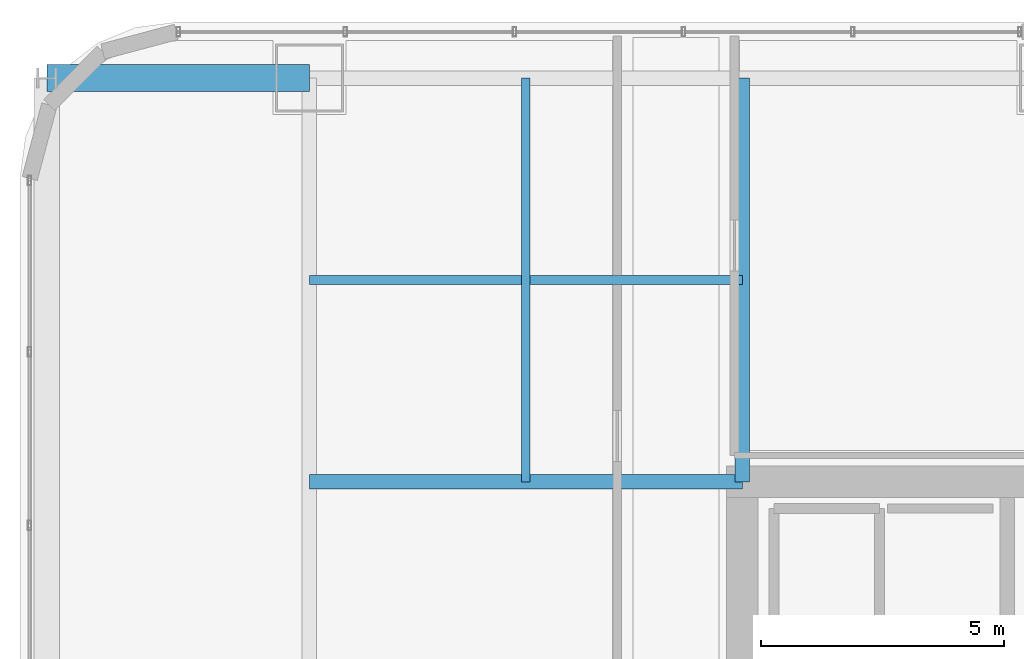
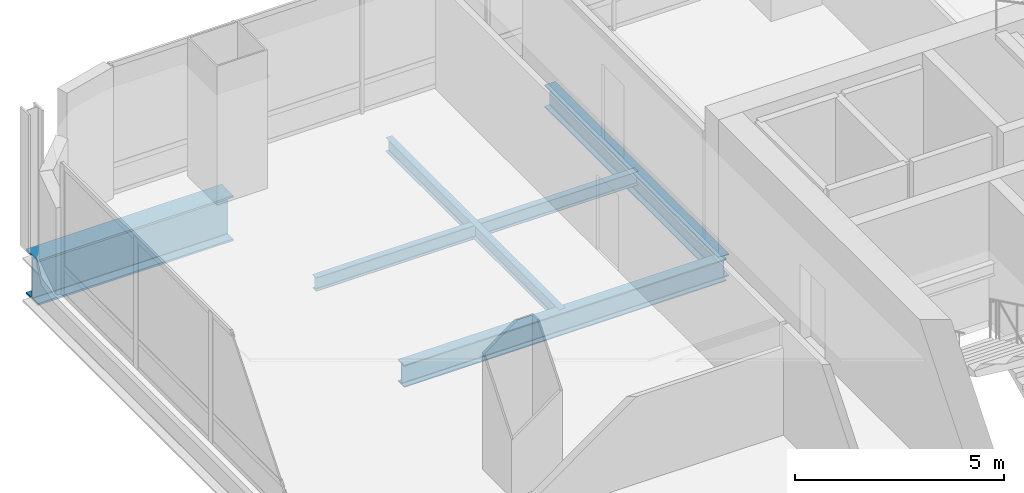
# One storey, part 18 of 38: 5 beams.
"""IFC4 building model written with IfcOpenShell, lengths in metres."""

import ifcopenshell
import ifcopenshell.guid

model = None  # the IFC model being written
_history = None  # IfcOwnerHistory: only IFC2X3 demands one
_inside = {}  # id of a spatial element -> (the spatial element, [elements in it])
_under = {}  # id of a project, library or spatial element -> (it, [spatial elements below it])
_declared = {}  # id of a project -> (the project, [libraries it declares])
_typed = {}  # id of a type object -> (the type object, [elements of that type])
_made_of = {}  # id of a material, layer set ... -> (it, [elements and type objects made of it])


def new_model(schema):
    """Start an empty IFC model of exactly this schema.

    Asked for "IFC4X3", IfcOpenShell would pick the latest addendum, in which some entities
    have other attributes; the version numbers below select the first issue.
    IFC2X3 requires an IfcOwnerHistory on every rooted entity: one is made here for all.
    """
    global model, _history
    if schema == "IFC4X3":
        model = ifcopenshell.file(schema_version=(4, 3, 0, 0))
    else:
        model = ifcopenshell.file(schema=schema)
    _inside.clear()
    _under.clear()
    _declared.clear()
    _typed.clear()
    _made_of.clear()
    _history = None
    if model.schema == "IFC2X3":
        org = make("IfcOrganization", Name="unknown")
        user = make(
            "IfcPersonAndOrganization",
            ThePerson=make("IfcPerson", FamilyName="unknown"),
            TheOrganization=org,
        )
        app = make(
            "IfcApplication",
            ApplicationDeveloper=org,
            Version="unknown",
            ApplicationFullName="unknown",
            ApplicationIdentifier="unknown",
        )
        _history = make(
            "IfcOwnerHistory",
            OwningUser=user,
            OwningApplication=app,
            ChangeAction="ADDED",
            CreationDate=0,
        )
    return model


def make(cls, **values):
    """One entity of the class cls with the attributes given. An attribute that is None is left unset."""
    return model.create_entity(
        cls, **{name: value for name, value in values.items() if value is not None}
    )


def rooted(cls, **values):
    """An entity with a GlobalId (a new one), such as an element, a storey or a relation."""
    return make(cls, GlobalId=ifcopenshell.guid.new(), OwnerHistory=_history, **values)


def si_unit(unit_type, name, prefix=None):
    """IfcSIUnit, for example si_unit("LENGTHUNIT", "METRE", prefix="MILLI")."""
    return make("IfcSIUnit", UnitType=unit_type, Prefix=prefix, Name=name)


def assignment(units):
    """IfcUnitAssignment: the units of a project."""
    return None if units is None else make("IfcUnitAssignment", Units=units)


def point(xyz):
    """IfcCartesianPoint."""
    return None if xyz is None else make("IfcCartesianPoint", Coordinates=xyz)


def direction(xyz):
    """IfcDirection."""
    return None if xyz is None else make("IfcDirection", DirectionRatios=xyz)


def frame(location, z_axis=None, x_axis=None):
    """IfcAxis2Placement3D, a coordinate frame: its origin and axes. An axis left out is left unset."""
    return make(
        "IfcAxis2Placement3D",
        Location=point(location),
        Axis=direction(z_axis),
        RefDirection=direction(x_axis),
    )


def frame_2d(location, x_axis=None):
    """IfcAxis2Placement2D, a coordinate frame in the plane: its origin and x axis."""
    return make(
        "IfcAxis2Placement2D", Location=point(location), RefDirection=direction(x_axis)
    )


def origin():
    """The frame at (0, 0, 0) with its axes left unset."""
    return frame((0.0, 0.0, 0.0))


def origin_2d():
    """The frame at (0, 0) in the plane with its x axis left unset."""
    return frame_2d((0.0, 0.0))


def place(relative_to, where):
    """IfcLocalPlacement: puts the frame where relative to a parent placement (None: the world)."""
    return make(
        "IfcLocalPlacement", PlacementRelTo=relative_to, RelativePlacement=where
    )


def context(
    kind, dimensions, precision=None, world=None, true_north=None, identifier=None
):
    """IfcGeometricRepresentationContext, for example the 3D "Model" context."""
    return make(
        "IfcGeometricRepresentationContext",
        ContextIdentifier=identifier,
        ContextType=kind,
        CoordinateSpaceDimension=dimensions,
        Precision=precision,
        WorldCoordinateSystem=world,
        TrueNorth=true_north,
    )


def subcontext(parent, identifier, kind, view, scale=None):
    """IfcGeometricRepresentationSubContext, for example "Body" below "Model"."""
    return make(
        "IfcGeometricRepresentationSubContext",
        ContextIdentifier=identifier,
        ContextType=kind,
        ParentContext=parent,
        TargetScale=scale,
        TargetView=view,
    )


def project(units=None, contexts=None):
    """IfcProject with its units and contexts."""
    return rooted(
        "IfcProject",
        Name="project",
        RepresentationContexts=contexts,
        UnitsInContext=assignment(units),
    )


def spatial(cls, under=None, at=None, **own):
    """A site, building, storey or space (cls), placed at a placement, below another one or the project."""
    s = rooted(cls, ObjectPlacement=at, **own)
    if under is not None:
        _under.setdefault(under.id(), (under, []))[1].append(s)
    return s


def profile(cls, at=None, kind="AREA", **sizes):
    """A parametric profile (cls). Its sizes go by their IFC names, for example OverallWidth=200.0."""
    return make(cls, ProfileType=kind, Position=at, **sizes)


def i_section(**sizes):
    """IfcIShapeProfileDef."""
    return profile("IfcIShapeProfileDef", **sizes)


def extrude(swept, where, along, depth):
    """IfcExtrudedAreaSolid: the profile swept, set in the frame where, extruded along a direction by depth."""
    return make(
        "IfcExtrudedAreaSolid",
        SweptArea=swept,
        Position=where,
        ExtrudedDirection=direction(along),
        Depth=depth,
    )


def shape(context_of_items, identifier, shape_type, items):
    """IfcShapeRepresentation: the items that make up one representation, for example the "Body"."""
    return make(
        "IfcShapeRepresentation",
        ContextOfItems=context_of_items,
        RepresentationIdentifier=identifier,
        RepresentationType=shape_type,
        Items=items,
    )


def material(Name=None, Category=None):
    """IfcMaterial."""
    return make("IfcMaterial", Name=Name, Category=Category)


def material_profile(
    of_material, cross_section, Name=None, Category=None, Priority=None
):
    """IfcMaterialProfile: a cross section and its material."""
    return make(
        "IfcMaterialProfile",
        Name=Name,
        Material=of_material,
        Profile=cross_section,
        Priority=Priority,
        Category=Category,
    )


def profile_set(profiles, Name=None, composite=None):
    """IfcMaterialProfileSet."""
    return make(
        "IfcMaterialProfileSet",
        Name=Name,
        MaterialProfiles=profiles,
        CompositeProfile=composite,
    )


def made_of(thing, what):
    """Note that an element or type object is made of a material, layer set ...; save() writes the relation."""
    if what is not None:
        _made_of.setdefault(what.id(), (what, []))[1].append(thing)
    return thing


def type_object(cls, material=None, **own):
    """A type object (cls), such as IfcWallType, which elements share."""
    return made_of(rooted(cls, **own), material)


def element(
    cls,
    number,
    at=None,
    inside=None,
    cuts=None,
    type_object=None,
    material=None,
    context=None,
    identifier="Body",
    shape_type=None,
    held_by="IfcProductDefinitionShape",
    body=None,
    shapes=None,
    **own,
):
    """One element of the class cls, such as IfcWall. Its Tag is "e" and its number.

    at: its placement. inside: the storey or other place that contains it. cuts: it is an
    opening in that element (IfcRelVoidsElement). A single representation is given by context,
    identifier, shape_type and body (its items); several are given by shapes. held_by: the class
    of the entity that holds the representations. save() writes the other relations.
    """
    e = rooted(cls, Tag="e%d" % number, ObjectPlacement=at, **own)
    if body is not None:
        shapes = [shape(context, identifier, shape_type, body)]
    if shapes is not None:
        e.Representation = make(held_by, Representations=shapes)
    if inside is not None:
        _inside.setdefault(inside.id(), (inside, []))[1].append(e)
    if cuts is not None:
        rooted(
            "IfcRelVoidsElement", RelatingBuildingElement=cuts, RelatedOpeningElement=e
        )
    if type_object is not None:
        _typed.setdefault(type_object.id(), (type_object, []))[1].append(e)
    return made_of(e, material)


def aggregate(whole, parts):
    """IfcRelAggregates: a whole, such as a stair, and the parts it consists of."""
    return rooted("IfcRelAggregates", RelatingObject=whole, RelatedObjects=parts)


def save(model, path):
    """Write the relations noted so far, then the file.

    IfcRelAggregates (storeys below a building ...), IfcRelContainedInSpatialStructure (elements
    in a storey), IfcRelDefinesByType, IfcRelAssociatesMaterial and IfcRelDeclares: one each for
    every whole, place, type object, material and project.
    """
    for whole, parts in _under.values():
        aggregate(whole, parts)
    for where, things in _inside.values():
        rooted(
            "IfcRelContainedInSpatialStructure",
            RelatedElements=things,
            RelatingStructure=where,
        )
    for kind, things in _typed.values():
        rooted("IfcRelDefinesByType", RelatedObjects=things, RelatingType=kind)
    for what, things in _made_of.values():
        rooted("IfcRelAssociatesMaterial", RelatedObjects=things, RelatingMaterial=what)
    for by, libraries in _declared.values():
        rooted("IfcRelDeclares", RelatingContext=by, RelatedDefinitions=libraries)
    model.write(path)


model = new_model("IFC4")

# Units and contexts
model_context = context("Model", 3, precision=1e-05, world=origin(), true_north=direction((0.0, 1.0)))
body_context = subcontext(model_context, "Body", "Model", "MODEL_VIEW")
ifc_project = project(units=[si_unit("LENGTHUNIT", "METRE"), si_unit("AREAUNIT", "SQUARE_METRE"), si_unit("VOLUMEUNIT", "CUBIC_METRE"), si_unit("PLANEANGLEUNIT", "RADIAN"), si_unit("MASSUNIT", "GRAM", prefix="KILO")], contexts=[model_context])

# Site, building, storey
site_placement = place(None, origin())
site = spatial("IfcSite", under=ifc_project, at=site_placement, CompositionType="ELEMENT")
building_placement = place(site_placement, origin())
building = spatial("IfcBuilding", under=site, at=building_placement, Name="Punatoya Terracotta Tower", CompositionType="ELEMENT")
storey_placement = place(building_placement, frame((0.0, 0.0, 188.39990234375)))
storey = spatial("IfcBuildingStorey", under=building, at=storey_placement, Name="L44", CompositionType="ELEMENT", Elevation=188.39990234375)

# Beams
ifc_material_1 = material(Name="Steel S355", Category="steel")
ifc_material_profile_1 = material_profile(ifc_material_1, i_section(OverallWidth=0.300048828125, OverallDepth=0.64990234375, WebThickness=0.01611328125, FlangeThickness=0.031005859375, FilletRadius=0.01806640625, at=origin_2d()))
ifc_profile_set_1 = profile_set([ifc_material_profile_1], Name="Steel S355")
beam_type_1 = type_object("IfcBeamType", Name="BM-PRI-650", PredefinedType="BEAM", material=ifc_profile_set_1)
beam_1_placement = place(storey_placement, frame((-19.10009765625, 9.199951171875, -0.544921875), z_axis=(1.0, 0.0, 0.0), x_axis=(0.0, 1.0, 0.0)))
element("IfcBeam", 1, at=beam_1_placement, inside=storey, type_object=beam_type_1, Name="BM-L44-PR-WN", PredefinedType="BEAM", context=body_context, shape_type="SweptSolid", body=[
    extrude(i_section(OverallWidth=0.300048828125, OverallDepth=0.64990234375, WebThickness=0.01611328125, FlangeThickness=0.031005859375, FilletRadius=0.01806640625, at=origin_2d()), origin(), (0.0, 0.0, 1.0), 8.900146484375),
])
beam_2_placement = place(storey_placement, frame((-10.199951171875, 9.199951171875, -0.544921875), z_axis=(0.0, 1.0, 0.0), x_axis=(-1.0, 0.0, 0.0)))
element("IfcBeam", 2, at=beam_2_placement, inside=storey, type_object=beam_type_1, Name="BM-L44-PR-N1", PredefinedType="BEAM", context=body_context, shape_type="SweptSolid", body=[
    extrude(i_section(OverallWidth=0.300048828125, OverallDepth=0.64990234375, WebThickness=0.01611328125, FlangeThickness=0.031005859375, FilletRadius=0.01806640625, at=origin_2d()), origin(), (0.0, 0.0, 1.0), 8.300048828125),
])
ifc_material_profile_2 = material_profile(ifc_material_1, i_section(OverallWidth=0.179931640625, OverallDepth=0.39990234375, WebThickness=0.008544921875, FlangeThickness=0.013427734375, FilletRadius=0.01806640625, at=origin_2d()))
ifc_profile_set_2 = profile_set([ifc_material_profile_2], Name="Steel S355")
beam_type_2 = type_object("IfcBeamType", Name="BM-SEC-400", PredefinedType="JOIST", material=ifc_profile_set_2)
beam_3_placement = place(storey_placement, frame((-19.10009765625, 13.35009765625, -0.419921875), z_axis=(1.0, 0.0, 0.0), x_axis=(0.0, 1.0, 0.0)))
element("IfcBeam", 3, at=beam_3_placement, inside=storey, type_object=beam_type_2, Name="BM-L44-SJN-1", PredefinedType="JOIST", context=body_context, shape_type="SweptSolid", body=[
    extrude(i_section(OverallWidth=0.179931640625, OverallDepth=0.39990234375, WebThickness=0.008544921875, FlangeThickness=0.013427734375, FilletRadius=0.01806640625, at=origin_2d()), origin(), (0.0, 0.0, 1.0), 8.900146484375),
])
beam_4_placement = place(storey_placement, frame((-14.64990234375, 9.199951171875, -0.419921875), z_axis=(0.0, 1.0, 0.0), x_axis=(-1.0, 0.0, 0.0)))
element("IfcBeam", 4, at=beam_4_placement, inside=storey, type_object=beam_type_2, Name="BM-L44-SJW-2", PredefinedType="JOIST", context=body_context, shape_type="SweptSolid", body=[
    extrude(i_section(OverallWidth=0.179931640625, OverallDepth=0.39990234375, WebThickness=0.008544921875, FlangeThickness=0.013427734375, FilletRadius=0.01806640625, at=origin_2d()), origin(), (0.0, 0.0, 1.0), 8.300048828125),
])
ifc_material_2 = material(Name="Steel S460", Category="steel")
ifc_material_profile_3 = material_profile(ifc_material_2, i_section(OverallWidth=0.56005859375, OverallDepth=1.320068359375, WebThickness=0.035888671875, FlangeThickness=0.054931640625, FilletRadius=0.01806640625, at=origin_2d()))
ifc_profile_set_3 = profile_set([ifc_material_profile_3], Name="Steel S460")
beam_type_3 = type_object("IfcBeamType", Name="BM-TG-BLK", PredefinedType="BEAM", material=ifc_profile_set_3)
beam_5_placement = place(storey_placement, frame((-24.5, 17.5, -0.8798828125), z_axis=(1.0, 0.0, 0.0), x_axis=(0.0, 1.0, 0.0)))
element("IfcBeam", 5, at=beam_5_placement, inside=storey, type_object=beam_type_3, Name="BM-L44-CANT-W4", PredefinedType="BEAM", context=body_context, shape_type="SweptSolid", body=[
    extrude(i_section(OverallWidth=0.56005859375, OverallDepth=1.320068359375, WebThickness=0.035888671875, FlangeThickness=0.054931640625, FilletRadius=0.01806640625, at=origin_2d()), origin(), (0.0, 0.0, 1.0), 5.39990234375),
])

save(model, "model.ifc")
